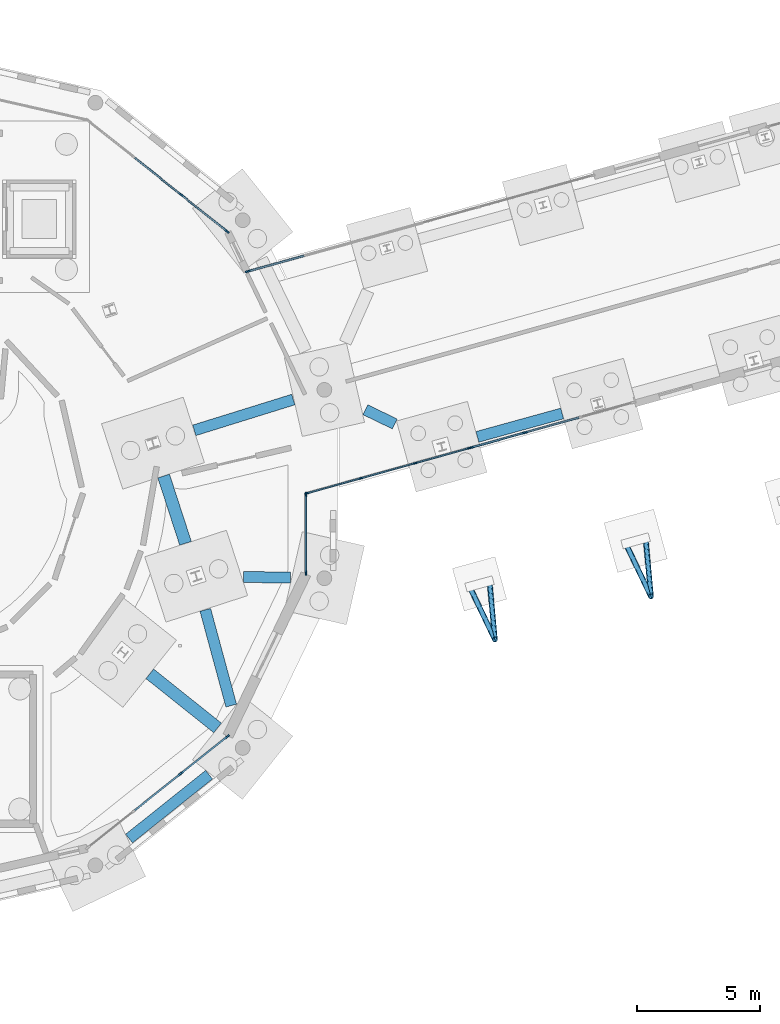
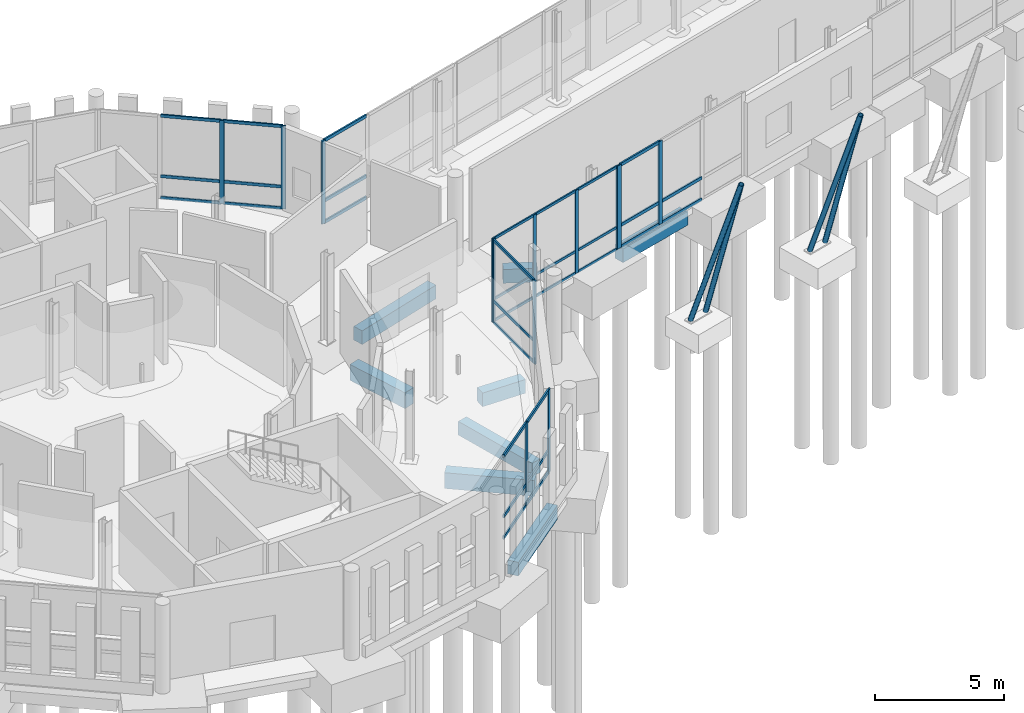
# One storey, part 30 of 113: 49 members, 8 beams, 6 elements without a shape of their own.
"""IFC4 building model written with IfcOpenShell, lengths in metres."""

import ifcopenshell
import ifcopenshell.guid

model = None  # the IFC model being written
_history = None  # IfcOwnerHistory: only IFC2X3 demands one
_inside = {}  # id of a spatial element -> (the spatial element, [elements in it])
_under = {}  # id of a project, library or spatial element -> (it, [spatial elements below it])
_declared = {}  # id of a project -> (the project, [libraries it declares])
_typed = {}  # id of a type object -> (the type object, [elements of that type])
_made_of = {}  # id of a material, layer set ... -> (it, [elements and type objects made of it])


def new_model(schema):
    """Start an empty IFC model of exactly this schema.

    Asked for "IFC4X3", IfcOpenShell would pick the latest addendum, in which some entities
    have other attributes; the version numbers below select the first issue.
    IFC2X3 requires an IfcOwnerHistory on every rooted entity: one is made here for all.
    """
    global model, _history
    if schema == "IFC4X3":
        model = ifcopenshell.file(schema_version=(4, 3, 0, 0))
    else:
        model = ifcopenshell.file(schema=schema)
    _inside.clear()
    _under.clear()
    _declared.clear()
    _typed.clear()
    _made_of.clear()
    _history = None
    if model.schema == "IFC2X3":
        org = make("IfcOrganization", Name="unknown")
        user = make(
            "IfcPersonAndOrganization",
            ThePerson=make("IfcPerson", FamilyName="unknown"),
            TheOrganization=org,
        )
        app = make(
            "IfcApplication",
            ApplicationDeveloper=org,
            Version="unknown",
            ApplicationFullName="unknown",
            ApplicationIdentifier="unknown",
        )
        _history = make(
            "IfcOwnerHistory",
            OwningUser=user,
            OwningApplication=app,
            ChangeAction="ADDED",
            CreationDate=0,
        )
    return model


def make(cls, **values):
    """One entity of the class cls with the attributes given. An attribute that is None is left unset."""
    return model.create_entity(
        cls, **{name: value for name, value in values.items() if value is not None}
    )


def rooted(cls, **values):
    """An entity with a GlobalId (a new one), such as an element, a storey or a relation."""
    return make(cls, GlobalId=ifcopenshell.guid.new(), OwnerHistory=_history, **values)


def si_unit(unit_type, name, prefix=None):
    """IfcSIUnit, for example si_unit("LENGTHUNIT", "METRE", prefix="MILLI")."""
    return make("IfcSIUnit", UnitType=unit_type, Prefix=prefix, Name=name)


def assignment(units):
    """IfcUnitAssignment: the units of a project."""
    return None if units is None else make("IfcUnitAssignment", Units=units)


def point(xyz):
    """IfcCartesianPoint."""
    return None if xyz is None else make("IfcCartesianPoint", Coordinates=xyz)


def direction(xyz):
    """IfcDirection."""
    return None if xyz is None else make("IfcDirection", DirectionRatios=xyz)


def frame(location, z_axis=None, x_axis=None):
    """IfcAxis2Placement3D, a coordinate frame: its origin and axes. An axis left out is left unset."""
    return make(
        "IfcAxis2Placement3D",
        Location=point(location),
        Axis=direction(z_axis),
        RefDirection=direction(x_axis),
    )


def frame_2d(location, x_axis=None):
    """IfcAxis2Placement2D, a coordinate frame in the plane: its origin and x axis."""
    return make(
        "IfcAxis2Placement2D", Location=point(location), RefDirection=direction(x_axis)
    )


def origin():
    """The frame at (0, 0, 0) with its axes left unset."""
    return frame((0.0, 0.0, 0.0))


def origin_2d():
    """The frame at (0, 0) in the plane with its x axis left unset."""
    return frame_2d((0.0, 0.0))


def place(relative_to, where):
    """IfcLocalPlacement: puts the frame where relative to a parent placement (None: the world)."""
    return make(
        "IfcLocalPlacement", PlacementRelTo=relative_to, RelativePlacement=where
    )


def context(
    kind, dimensions, precision=None, world=None, true_north=None, identifier=None
):
    """IfcGeometricRepresentationContext, for example the 3D "Model" context."""
    return make(
        "IfcGeometricRepresentationContext",
        ContextIdentifier=identifier,
        ContextType=kind,
        CoordinateSpaceDimension=dimensions,
        Precision=precision,
        WorldCoordinateSystem=world,
        TrueNorth=true_north,
    )


def subcontext(parent, identifier, kind, view, scale=None):
    """IfcGeometricRepresentationSubContext, for example "Body" below "Model"."""
    return make(
        "IfcGeometricRepresentationSubContext",
        ContextIdentifier=identifier,
        ContextType=kind,
        ParentContext=parent,
        TargetScale=scale,
        TargetView=view,
    )


def project(units=None, contexts=None):
    """IfcProject with its units and contexts."""
    return rooted(
        "IfcProject",
        Name="project",
        RepresentationContexts=contexts,
        UnitsInContext=assignment(units),
    )


def spatial(cls, under=None, at=None, **own):
    """A site, building, storey or space (cls), placed at a placement, below another one or the project."""
    s = rooted(cls, ObjectPlacement=at, **own)
    if under is not None:
        _under.setdefault(under.id(), (under, []))[1].append(s)
    return s


def profile(cls, at=None, kind="AREA", **sizes):
    """A parametric profile (cls). Its sizes go by their IFC names, for example OverallWidth=200.0."""
    return make(cls, ProfileType=kind, Position=at, **sizes)


def rectangle(**sizes):
    """IfcRectangleProfileDef."""
    return profile("IfcRectangleProfileDef", **sizes)


def hollow_circle(**sizes):
    """IfcCircleHollowProfileDef."""
    return profile("IfcCircleHollowProfileDef", **sizes)


def extrude(swept, where, along, depth):
    """IfcExtrudedAreaSolid: the profile swept, set in the frame where, extruded along a direction by depth."""
    return make(
        "IfcExtrudedAreaSolid",
        SweptArea=swept,
        Position=where,
        ExtrudedDirection=direction(along),
        Depth=depth,
    )


def shape(context_of_items, identifier, shape_type, items):
    """IfcShapeRepresentation: the items that make up one representation, for example the "Body"."""
    return make(
        "IfcShapeRepresentation",
        ContextOfItems=context_of_items,
        RepresentationIdentifier=identifier,
        RepresentationType=shape_type,
        Items=items,
    )


def material(Name=None, Category=None):
    """IfcMaterial."""
    return make("IfcMaterial", Name=Name, Category=Category)


def material_profile(
    of_material, cross_section, Name=None, Category=None, Priority=None
):
    """IfcMaterialProfile: a cross section and its material."""
    return make(
        "IfcMaterialProfile",
        Name=Name,
        Material=of_material,
        Profile=cross_section,
        Priority=Priority,
        Category=Category,
    )


def profile_set(profiles, Name=None, composite=None):
    """IfcMaterialProfileSet."""
    return make(
        "IfcMaterialProfileSet",
        Name=Name,
        MaterialProfiles=profiles,
        CompositeProfile=composite,
    )


def made_of(thing, what):
    """Note that an element or type object is made of a material, layer set ...; save() writes the relation."""
    if what is not None:
        _made_of.setdefault(what.id(), (what, []))[1].append(thing)
    return thing


def type_object(cls, material=None, **own):
    """A type object (cls), such as IfcWallType, which elements share."""
    return made_of(rooted(cls, **own), material)


def element(
    cls,
    number,
    at=None,
    inside=None,
    cuts=None,
    type_object=None,
    material=None,
    context=None,
    identifier="Body",
    shape_type=None,
    held_by="IfcProductDefinitionShape",
    body=None,
    shapes=None,
    **own,
):
    """One element of the class cls, such as IfcWall. Its Tag is "e" and its number.

    at: its placement. inside: the storey or other place that contains it. cuts: it is an
    opening in that element (IfcRelVoidsElement). A single representation is given by context,
    identifier, shape_type and body (its items); several are given by shapes. held_by: the class
    of the entity that holds the representations. save() writes the other relations.
    """
    e = rooted(cls, Tag="e%d" % number, ObjectPlacement=at, **own)
    if body is not None:
        shapes = [shape(context, identifier, shape_type, body)]
    if shapes is not None:
        e.Representation = make(held_by, Representations=shapes)
    if inside is not None:
        _inside.setdefault(inside.id(), (inside, []))[1].append(e)
    if cuts is not None:
        rooted(
            "IfcRelVoidsElement", RelatingBuildingElement=cuts, RelatedOpeningElement=e
        )
    if type_object is not None:
        _typed.setdefault(type_object.id(), (type_object, []))[1].append(e)
    return made_of(e, material)


def aggregate(whole, parts):
    """IfcRelAggregates: a whole, such as a stair, and the parts it consists of."""
    return rooted("IfcRelAggregates", RelatingObject=whole, RelatedObjects=parts)


def save(model, path):
    """Write the relations noted so far, then the file.

    IfcRelAggregates (storeys below a building ...), IfcRelContainedInSpatialStructure (elements
    in a storey), IfcRelDefinesByType, IfcRelAssociatesMaterial and IfcRelDeclares: one each for
    every whole, place, type object, material and project.
    """
    for whole, parts in _under.values():
        aggregate(whole, parts)
    for where, things in _inside.values():
        rooted(
            "IfcRelContainedInSpatialStructure",
            RelatedElements=things,
            RelatingStructure=where,
        )
    for kind, things in _typed.values():
        rooted("IfcRelDefinesByType", RelatedObjects=things, RelatingType=kind)
    for what, things in _made_of.values():
        rooted("IfcRelAssociatesMaterial", RelatedObjects=things, RelatingMaterial=what)
    for by, libraries in _declared.values():
        rooted("IfcRelDeclares", RelatingContext=by, RelatedDefinitions=libraries)
    model.write(path)


model = new_model("IFC4")

# Units and contexts
model_context = context("Model", 3, precision=1e-05, world=origin(), true_north=direction((0.0, 1.0)))
body_context = subcontext(model_context, "Body", "Model", "MODEL_VIEW")
ifc_project = project(units=[si_unit("LENGTHUNIT", "METRE"), si_unit("AREAUNIT", "SQUARE_METRE"), si_unit("VOLUMEUNIT", "CUBIC_METRE"), si_unit("PLANEANGLEUNIT", "RADIAN"), si_unit("MASSUNIT", "GRAM", prefix="KILO")], contexts=[model_context])

# Site, building, storey
site_placement = place(None, origin())
site = spatial("IfcSite", under=ifc_project, at=site_placement, CompositionType="ELEMENT")
building_placement = place(site_placement, origin())
building = spatial("IfcBuilding", under=site, at=building_placement, Name="Wrenclough Park School", CompositionType="ELEMENT")
storey_placement = place(building_placement, origin())
storey = spatial("IfcBuildingStorey", under=building, at=storey_placement, Name="L00", CompositionType="ELEMENT", Elevation=0.0)

# Curtain wall, members
ifc_material_1 = material(Name="Thermally broken aluminium and low-e glass curtain wall", Category="aluminium")
curtain_wall_type_1 = type_object("IfcCurtainWallType", Name="ENV-CW-11", PredefinedType="USERDEFINED", material=ifc_material_1)
curtain_wall_1_placement = place(storey_placement, origin())
curtain_wall_1 = element("IfcCurtainWall", 1, at=curtain_wall_1_placement, inside=storey, type_object=curtain_wall_type_1, Name="L00 recessed curtain wall assembly 042", ObjectType="CURTAIN WALL", PredefinedType="USERDEFINED")
ifc_material_2 = material(Name="Thermally broken anodised aluminium", Category="aluminium")
ifc_material_profile_1 = material_profile(ifc_material_2, rectangle(XDim=0.06005859375, YDim=0.159912109375, at=origin_2d()), Name="AL MULLION 60x160")
ifc_profile_set_1 = profile_set([ifc_material_profile_1], Name="Thermally broken anodised aluminium")
member_type_1 = type_object("IfcMemberType", Name="ENV-CWM-1", PredefinedType="MULLION", material=ifc_profile_set_1)
member_1_placement = place(storey_placement, frame((59.2265625, 24.966064453125, 0.0), z_axis=(0.0, 0.0, 1.0), x_axis=(0.268072536011, -0.963398731282, 0.0)))
member_1 = element("IfcMember", 2, at=member_1_placement, type_object=member_type_1, Name="CW-11 mullion 1", PredefinedType="MULLION", context=body_context, shape_type="SweptSolid", body=[
    extrude(rectangle(XDim=0.06005859375, YDim=0.159912109375, at=origin_2d()), origin(), (0.0, 0.0, 1.0), 3.93994140625),
])
member_2_placement = place(storey_placement, frame((57.026123046875, 24.35400390625, 0.0), z_axis=(0.0, 0.0, 1.0), x_axis=(0.268072536011, -0.963398731282, 0.0)))
member_2 = element("IfcMember", 3, at=member_2_placement, type_object=member_type_1, Name="CW-11 mullion 2", PredefinedType="MULLION", context=body_context, shape_type="SweptSolid", body=[
    extrude(rectangle(XDim=0.06005859375, YDim=0.159912109375, at=origin_2d()), origin(), (0.0, 0.0, 1.0), 3.93994140625),
])
member_3_placement = place(storey_placement, frame((54.796875, 23.733642578125, 0.0), z_axis=(0.0, 0.0, 1.0), x_axis=(0.268072536011, -0.963398731282, 0.0)))
member_3 = element("IfcMember", 4, at=member_3_placement, type_object=member_type_1, Name="CW-11 mullion 3", PredefinedType="MULLION", context=body_context, shape_type="SweptSolid", body=[
    extrude(rectangle(XDim=0.06005859375, YDim=0.159912109375, at=origin_2d()), origin(), (0.0, 0.0, 1.0), 3.93994140625),
])
member_4_placement = place(storey_placement, frame((52.5966796875, 23.121337890625, 0.0), z_axis=(0.0, 0.0, 1.0), x_axis=(0.268072536011, -0.963398731282, 0.0)))
member_4 = element("IfcMember", 5, at=member_4_placement, type_object=member_type_1, Name="CW-11 mullion 4", PredefinedType="MULLION", context=body_context, shape_type="SweptSolid", body=[
    extrude(rectangle(XDim=0.06005859375, YDim=0.159912109375, at=origin_2d()), origin(), (0.0, 0.0, 1.0), 3.93994140625),
])

curtain_wall_type_2 = type_object("IfcCurtainWallType", Name="ENV-CW-12", PredefinedType="USERDEFINED", material=ifc_material_1)
curtain_wall_2_placement = place(storey_placement, origin())
curtain_wall_2 = element("IfcCurtainWall", 6, at=curtain_wall_2_placement, inside=storey, type_object=curtain_wall_type_2, Name="L00 recessed curtain wall assembly 043", ObjectType="CURTAIN WALL", PredefinedType="USERDEFINED")
ifc_material_profile_2 = material_profile(ifc_material_2, rectangle(XDim=0.06494140625, YDim=0.179931640625, at=origin_2d()), Name="AL MULLION 65x180")
ifc_profile_set_2 = profile_set([ifc_material_profile_2], Name="Thermally broken anodised aluminium")
member_type_2 = type_object("IfcMemberType", Name="ENV-CWM-2", PredefinedType="MULLION", material=ifc_profile_set_2)
member_5_placement = place(storey_placement, frame((52.563720703125, 23.07568359375, 0.0), z_axis=(0.0, 0.0, 1.0), x_axis=(1.0, 0.0, 0.0)))
member_5 = element("IfcMember", 7, at=member_5_placement, type_object=member_type_2, Name="CW-12 mullion 1", PredefinedType="MULLION", context=body_context, shape_type="SweptSolid", body=[
    extrude(rectangle(XDim=0.06494140625, YDim=0.179931640625, at=origin_2d()), origin(), (0.0, 0.0, 1.0), 3.93994140625),
])
member_6_placement = place(storey_placement, frame((52.563720703125, 19.8701171875, 0.0), z_axis=(0.0, 0.0, 1.0), x_axis=(1.0, 0.0, 0.0)))
member_6 = element("IfcMember", 8, at=member_6_placement, type_object=member_type_2, Name="CW-12 mullion 2", PredefinedType="MULLION", context=body_context, shape_type="SweptSolid", body=[
    extrude(rectangle(XDim=0.06494140625, YDim=0.179931640625, at=origin_2d()), origin(), (0.0, 0.0, 1.0), 3.93994140625),
])

curtain_wall_type_3 = type_object("IfcCurtainWallType", Name="ENV-CW-15", PredefinedType="USERDEFINED", material=ifc_material_1)
curtain_wall_3_placement = place(storey_placement, origin())
curtain_wall_3 = element("IfcCurtainWall", 9, at=curtain_wall_3_placement, inside=storey, type_object=curtain_wall_type_3, Name="L00 recessed curtain wall assembly 046", ObjectType="CURTAIN WALL", PredefinedType="USERDEFINED")
member_7_placement = place(storey_placement, frame((47.47021484375, 35.298095703125, 0.0), z_axis=(0.0, 0.0, 1.0), x_axis=(0.623498909972, 0.781824218903, 0.0)))
member_7 = element("IfcMember", 10, at=member_7_placement, type_object=member_type_2, Name="CW-15 mullion 3", PredefinedType="MULLION", context=body_context, shape_type="SweptSolid", body=[
    extrude(rectangle(XDim=0.06494140625, YDim=0.179931640625, at=origin_2d()), origin(), (0.0, 0.0, 1.0), 3.93994140625),
])
member_8_placement = place(storey_placement, frame((49.353515625, 33.7958984375, 0.0), z_axis=(0.0, 0.0, 1.0), x_axis=(0.623498909972, 0.781824218903, 0.0)))
member_8 = element("IfcMember", 11, at=member_8_placement, type_object=member_type_2, Name="CW-15 mullion 4", PredefinedType="MULLION", context=body_context, shape_type="SweptSolid", body=[
    extrude(rectangle(XDim=0.06494140625, YDim=0.179931640625, at=origin_2d()), origin(), (0.0, 0.0, 1.0), 3.93994140625),
])

curtain_wall_type_4 = type_object("IfcCurtainWallType", Name="ENV-CW-10", PredefinedType="USERDEFINED", material=ifc_material_1)
curtain_wall_4_placement = place(storey_placement, origin())
curtain_wall_4 = element("IfcCurtainWall", 12, at=curtain_wall_4_placement, inside=storey, type_object=curtain_wall_type_4, Name="L00 recessed curtain wall assembly 041", ObjectType="CURTAIN WALL", PredefinedType="USERDEFINED")
ifc_material_profile_3 = material_profile(ifc_material_2, rectangle(XDim=0.070068359375, YDim=0.199951171875, at=origin_2d()), Name="AL MULLION 70x200")
ifc_profile_set_3 = profile_set([ifc_material_profile_3], Name="Thermally broken anodised aluminium")
member_type_3 = type_object("IfcMemberType", Name="ENV-CWM-3", PredefinedType="MULLION", material=ifc_profile_set_3)
member_9_placement = place(storey_placement, frame((61.492431640625, 25.5966796875, 0.0), z_axis=(0.0, 0.0, 1.0), x_axis=(0.268068815671, -0.963399766486, 0.0)))
member_9 = element("IfcMember", 13, at=member_9_placement, type_object=member_type_3, Name="CW-10 mullion 3", PredefinedType="MULLION", context=body_context, shape_type="SweptSolid", body=[
    extrude(rectangle(XDim=0.070068359375, YDim=0.199951171875, at=origin_2d()), origin(), (0.0, 0.0, 1.0), 3.93994140625),
])
member_10_placement = place(storey_placement, frame((59.296875, 24.98583984375, 0.0), z_axis=(0.0, 0.0, 1.0), x_axis=(0.268068815671, -0.963399766486, 0.0)))
member_10 = element("IfcMember", 14, at=member_10_placement, type_object=member_type_3, Name="CW-10 mullion 4", PredefinedType="MULLION", context=body_context, shape_type="SweptSolid", body=[
    extrude(rectangle(XDim=0.070068359375, YDim=0.199951171875, at=origin_2d()), origin(), (0.0, 0.0, 1.0), 3.93994140625),
])

curtain_wall_type_5 = type_object("IfcCurtainWallType", Name="ENV-CW-13", PredefinedType="USERDEFINED", material=ifc_material_1)
curtain_wall_5_placement = place(storey_placement, origin())
curtain_wall_5 = element("IfcCurtainWall", 15, at=curtain_wall_5_placement, inside=storey, type_object=curtain_wall_type_5, Name="L00 recessed curtain wall assembly 044", ObjectType="CURTAIN WALL", PredefinedType="USERDEFINED")
member_11_placement = place(storey_placement, frame((49.3515625, 13.202392578125, 0.0), z_axis=(0.0, 0.0, 1.0), x_axis=(0.623483909926, -0.781836181091, 0.0)))
member_11 = element("IfcMember", 16, at=member_11_placement, type_object=member_type_3, Name="CW-13 mullion 1", PredefinedType="MULLION", context=body_context, shape_type="SweptSolid", body=[
    extrude(rectangle(XDim=0.070068359375, YDim=0.199951171875, at=origin_2d()), origin(), (0.0, 0.0, 1.0), 3.93994140625),
])
member_12_placement = place(storey_placement, frame((47.469970703125, 11.701904296875, 0.0), z_axis=(0.0, 0.0, 1.0), x_axis=(0.623483909926, -0.781836181091, 0.0)))
member_12 = element("IfcMember", 17, at=member_12_placement, type_object=member_type_3, Name="CW-13 mullion 2", PredefinedType="MULLION", context=body_context, shape_type="SweptSolid", body=[
    extrude(rectangle(XDim=0.070068359375, YDim=0.199951171875, at=origin_2d()), origin(), (0.0, 0.0, 1.0), 3.93994140625),
])

# Curtain wall, member
curtain_wall_type_6 = type_object("IfcCurtainWallType", Name="ENV-CW-16", PredefinedType="USERDEFINED", material=ifc_material_1)
curtain_wall_6_placement = place(storey_placement, origin())
curtain_wall_6 = element("IfcCurtainWall", 18, at=curtain_wall_6_placement, inside=storey, type_object=curtain_wall_type_6, Name="L00 recessed curtain wall assembly 047", ObjectType="CURTAIN WALL", PredefinedType="USERDEFINED")
member_13_placement = place(storey_placement, frame((50.197265625, 32.169189453125, 0.0), z_axis=(0.0, 0.0, 1.0), x_axis=(-0.268072383958, 0.963398773592, 0.0)))
member_13 = element("IfcMember", 19, at=member_13_placement, type_object=member_type_3, Name="CW-16 mullion 1", PredefinedType="MULLION", context=body_context, shape_type="SweptSolid", body=[
    extrude(rectangle(XDim=0.070068359375, YDim=0.199951171875, at=origin_2d()), origin(), (0.0, 0.0, 1.0), 3.93994140625),
])

# Member
ifc_material_profile_4 = material_profile(ifc_material_2, rectangle(XDim=0.06005859375, YDim=0.1201171875, at=origin_2d()), Name="AL TRANSOM 60x120")
ifc_profile_set_4 = profile_set([ifc_material_profile_4], Name="Thermally broken anodised aluminium")
member_type_4 = type_object("IfcMemberType", Name="ENV-CWT-1", PredefinedType="USERDEFINED", material=ifc_profile_set_4)
member_14_placement = place(storey_placement, frame((59.197509765625, 24.9580078125, 0.030029296875), z_axis=(-0.963418748279, -0.268000588553, 0.0), x_axis=(0.268000588553, -0.963418748279, 0.0)))
member_14 = element("IfcMember", 20, at=member_14_placement, type_object=member_type_4, Name="CW-11 transom 1.1", ObjectType="TRANSOM", PredefinedType="USERDEFINED", context=body_context, shape_type="SweptSolid", body=[
    extrude(rectangle(XDim=0.06005859375, YDim=0.1201171875, at=origin_2d()), origin(), (0.0, 0.0, 1.0), 2.2236328125),
])

member_15_placement = place(storey_placement, frame((59.197509765625, 24.9580078125, 1.050048828125), z_axis=(-0.963418748279, -0.268000588553, 0.0), x_axis=(0.268000588553, -0.963418748279, 0.0)))
member_15 = element("IfcMember", 21, at=member_15_placement, type_object=member_type_4, Name="CW-11 transom 1.2", ObjectType="TRANSOM", PredefinedType="USERDEFINED", context=body_context, shape_type="SweptSolid", body=[
    extrude(rectangle(XDim=0.06005859375, YDim=0.1201171875, at=origin_2d()), origin(), (0.0, 0.0, 1.0), 2.2236328125),
])

member_16_placement = place(storey_placement, frame((59.197509765625, 24.9580078125, 3.909912109375), z_axis=(-0.963418748279, -0.268000588553, 0.0), x_axis=(0.268000588553, -0.963418748279, 0.0)))
member_16 = element("IfcMember", 22, at=member_16_placement, type_object=member_type_4, Name="CW-11 transom 1.3", ObjectType="TRANSOM", PredefinedType="USERDEFINED", context=body_context, shape_type="SweptSolid", body=[
    extrude(rectangle(XDim=0.06005859375, YDim=0.1201171875, at=origin_2d()), origin(), (0.0, 0.0, 1.0), 2.2236328125),
])

member_17_placement = place(storey_placement, frame((56.997314453125, 24.345947265625, 0.030029296875), z_axis=(-0.963393657546, -0.268090769331, 0.0), x_axis=(0.268090769331, -0.963393657546, 0.0)))
member_17 = element("IfcMember", 23, at=member_17_placement, type_object=member_type_4, Name="CW-11 transom 2.1", ObjectType="TRANSOM", PredefinedType="USERDEFINED", context=body_context, shape_type="SweptSolid", body=[
    extrude(rectangle(XDim=0.06005859375, YDim=0.1201171875, at=origin_2d()), origin(), (0.0, 0.0, 1.0), 2.25390625),
])

member_18_placement = place(storey_placement, frame((56.997314453125, 24.345947265625, 1.050048828125), z_axis=(-0.963393657546, -0.268090769331, 0.0), x_axis=(0.268090769331, -0.963393657546, 0.0)))
member_18 = element("IfcMember", 24, at=member_18_placement, type_object=member_type_4, Name="CW-11 transom 2.2", ObjectType="TRANSOM", PredefinedType="USERDEFINED", context=body_context, shape_type="SweptSolid", body=[
    extrude(rectangle(XDim=0.06005859375, YDim=0.1201171875, at=origin_2d()), origin(), (0.0, 0.0, 1.0), 2.25390625),
])

member_19_placement = place(storey_placement, frame((56.997314453125, 24.345947265625, 3.909912109375), z_axis=(-0.963393657546, -0.268090769331, 0.0), x_axis=(0.268090769331, -0.963393657546, 0.0)))
member_19 = element("IfcMember", 25, at=member_19_placement, type_object=member_type_4, Name="CW-11 transom 2.3", ObjectType="TRANSOM", PredefinedType="USERDEFINED", context=body_context, shape_type="SweptSolid", body=[
    extrude(rectangle(XDim=0.06005859375, YDim=0.1201171875, at=origin_2d()), origin(), (0.0, 0.0, 1.0), 2.25390625),
])

member_20_placement = place(storey_placement, frame((54.76806640625, 23.7255859375, 0.030029296875), z_axis=(-0.963398286159, -0.268074135688, 0.0), x_axis=(0.268074135688, -0.963398286159, 0.0)))
member_20 = element("IfcMember", 26, at=member_20_placement, type_object=member_type_4, Name="CW-11 transom 3.1", ObjectType="TRANSOM", PredefinedType="USERDEFINED", context=body_context, shape_type="SweptSolid", body=[
    extrude(rectangle(XDim=0.06005859375, YDim=0.1201171875, at=origin_2d()), origin(), (0.0, 0.0, 1.0), 2.223876953125),
])

member_21_placement = place(storey_placement, frame((54.76806640625, 23.7255859375, 1.050048828125), z_axis=(-0.963398286159, -0.268074135688, 0.0), x_axis=(0.268074135688, -0.963398286159, 0.0)))
member_21 = element("IfcMember", 27, at=member_21_placement, type_object=member_type_4, Name="CW-11 transom 3.2", ObjectType="TRANSOM", PredefinedType="USERDEFINED", context=body_context, shape_type="SweptSolid", body=[
    extrude(rectangle(XDim=0.06005859375, YDim=0.1201171875, at=origin_2d()), origin(), (0.0, 0.0, 1.0), 2.223876953125),
])

member_22_placement = place(storey_placement, frame((54.76806640625, 23.7255859375, 3.909912109375), z_axis=(-0.963398286159, -0.268074135688, 0.0), x_axis=(0.268074135688, -0.963398286159, 0.0)))
member_22 = element("IfcMember", 28, at=member_22_placement, type_object=member_type_4, Name="CW-11 transom 3.3", ObjectType="TRANSOM", PredefinedType="USERDEFINED", context=body_context, shape_type="SweptSolid", body=[
    extrude(rectangle(XDim=0.06005859375, YDim=0.1201171875, at=origin_2d()), origin(), (0.0, 0.0, 1.0), 2.223876953125),
])

aggregate(curtain_wall_1, [member_1, member_2, member_3, member_4, member_14, member_15, member_16, member_17, member_18, member_19, member_20, member_21, member_22])

ifc_material_profile_5 = material_profile(ifc_material_2, rectangle(XDim=0.06494140625, YDim=0.139892578125, at=origin_2d()), Name="AL TRANSOM 65x140")
ifc_profile_set_5 = profile_set([ifc_material_profile_5], Name="Thermally broken anodised aluminium")
member_type_5 = type_object("IfcMemberType", Name="ENV-CWT-2", PredefinedType="USERDEFINED", material=ifc_profile_set_5)
member_23_placement = place(storey_placement, frame((52.563720703125, 23.043212890625, 0.032470703125), z_axis=(0.0, -1.0, 0.0), x_axis=(1.0, 0.0, 0.0)))
member_23 = element("IfcMember", 29, at=member_23_placement, type_object=member_type_5, Name="CW-12 transom 1.1", ObjectType="TRANSOM", PredefinedType="USERDEFINED", context=body_context, shape_type="SweptSolid", body=[
    extrude(rectangle(XDim=0.06494140625, YDim=0.139892578125, at=origin_2d()), origin(), (0.0, 0.0, 1.0), 3.140625),
])

member_24_placement = place(storey_placement, frame((52.563720703125, 23.043212890625, 1.050048828125), z_axis=(0.0, -1.0, 0.0), x_axis=(1.0, 0.0, 0.0)))
member_24 = element("IfcMember", 30, at=member_24_placement, type_object=member_type_5, Name="CW-12 transom 1.2", ObjectType="TRANSOM", PredefinedType="USERDEFINED", context=body_context, shape_type="SweptSolid", body=[
    extrude(rectangle(XDim=0.06494140625, YDim=0.139892578125, at=origin_2d()), origin(), (0.0, 0.0, 1.0), 3.140625),
])

member_25_placement = place(storey_placement, frame((52.563720703125, 23.043212890625, 3.907470703125), z_axis=(0.0, -1.0, 0.0), x_axis=(1.0, 0.0, 0.0)))
member_25 = element("IfcMember", 31, at=member_25_placement, type_object=member_type_5, Name="CW-12 transom 1.3", ObjectType="TRANSOM", PredefinedType="USERDEFINED", context=body_context, shape_type="SweptSolid", body=[
    extrude(rectangle(XDim=0.06494140625, YDim=0.139892578125, at=origin_2d()), origin(), (0.0, 0.0, 1.0), 3.140625),
])

aggregate(curtain_wall_2, [member_5, member_6, member_23, member_24, member_25])

member_26_placement = place(storey_placement, frame((45.586669921875, 36.800048828125, 0.032470703125), z_axis=(0.781820088597, -0.623504089053, 0.0), x_axis=(0.623504089053, 0.781820088597, 0.0)))
member_26 = element("IfcMember", 32, at=member_26_placement, type_object=member_type_5, Name="CW-15 transom 2.1", ObjectType="TRANSOM", PredefinedType="USERDEFINED", context=body_context, shape_type="SweptSolid", body=[
    extrude(rectangle(XDim=0.06494140625, YDim=0.139892578125, at=origin_2d()), origin(), (0.0, 0.0, 1.0), 2.37646484375),
])

member_27_placement = place(storey_placement, frame((45.586669921875, 36.800048828125, 1.050048828125), z_axis=(0.781820088597, -0.623504089053, 0.0), x_axis=(0.623504089053, 0.781820088597, 0.0)))
member_27 = element("IfcMember", 33, at=member_27_placement, type_object=member_type_5, Name="CW-15 transom 2.2", ObjectType="TRANSOM", PredefinedType="USERDEFINED", context=body_context, shape_type="SweptSolid", body=[
    extrude(rectangle(XDim=0.06494140625, YDim=0.139892578125, at=origin_2d()), origin(), (0.0, 0.0, 1.0), 2.37646484375),
])

member_28_placement = place(storey_placement, frame((45.586669921875, 36.800048828125, 3.907470703125), z_axis=(0.781820088597, -0.623504089053, 0.0), x_axis=(0.623504089053, 0.781820088597, 0.0)))
member_28 = element("IfcMember", 34, at=member_28_placement, type_object=member_type_5, Name="CW-15 transom 2.3", ObjectType="TRANSOM", PredefinedType="USERDEFINED", context=body_context, shape_type="SweptSolid", body=[
    extrude(rectangle(XDim=0.06494140625, YDim=0.139892578125, at=origin_2d()), origin(), (0.0, 0.0, 1.0), 2.37646484375),
])

member_29_placement = place(storey_placement, frame((47.49560546875, 35.27783203125, 0.032470703125), z_axis=(0.781772343982, -0.623563951961, 0.0), x_axis=(0.623563951961, 0.781772343982, 0.0)))
member_29 = element("IfcMember", 35, at=member_29_placement, type_object=member_type_5, Name="CW-15 transom 3.1", ObjectType="TRANSOM", PredefinedType="USERDEFINED", context=body_context, shape_type="SweptSolid", body=[
    extrude(rectangle(XDim=0.06494140625, YDim=0.139892578125, at=origin_2d()), origin(), (0.0, 0.0, 1.0), 2.343994140625),
])

member_30_placement = place(storey_placement, frame((47.49560546875, 35.27783203125, 1.050048828125), z_axis=(0.781772343982, -0.623563951961, 0.0), x_axis=(0.623563951961, 0.781772343982, 0.0)))
member_30 = element("IfcMember", 36, at=member_30_placement, type_object=member_type_5, Name="CW-15 transom 3.2", ObjectType="TRANSOM", PredefinedType="USERDEFINED", context=body_context, shape_type="SweptSolid", body=[
    extrude(rectangle(XDim=0.06494140625, YDim=0.139892578125, at=origin_2d()), origin(), (0.0, 0.0, 1.0), 2.343994140625),
])

member_31_placement = place(storey_placement, frame((47.49560546875, 35.27783203125, 3.907470703125), z_axis=(0.781772343982, -0.623563951961, 0.0), x_axis=(0.623563951961, 0.781772343982, 0.0)))
member_31 = element("IfcMember", 37, at=member_31_placement, type_object=member_type_5, Name="CW-15 transom 3.3", ObjectType="TRANSOM", PredefinedType="USERDEFINED", context=body_context, shape_type="SweptSolid", body=[
    extrude(rectangle(XDim=0.06494140625, YDim=0.139892578125, at=origin_2d()), origin(), (0.0, 0.0, 1.0), 2.343994140625),
])

aggregate(curtain_wall_3, [member_7, member_8, member_26, member_27, member_28, member_29, member_30, member_31])

ifc_material_profile_6 = material_profile(ifc_material_2, rectangle(XDim=0.070068359375, YDim=0.14990234375, at=origin_2d()), Name="AL TRANSOM 70x150")
ifc_profile_set_6 = profile_set([ifc_material_profile_6], Name="Thermally broken anodised aluminium")
member_type_6 = type_object("IfcMemberType", Name="ENV-CWT-3", PredefinedType="USERDEFINED", material=ifc_profile_set_6)
member_32_placement = place(storey_placement, frame((63.68798828125, 26.20751953125, 0.034912109375), z_axis=(-0.963425886953, -0.267974924852, 0.0), x_axis=(0.267974924852, -0.963425886953, 0.0)))
member_32 = element("IfcMember", 38, at=member_32_placement, type_object=member_type_6, Name="CW-10 transom 2.1", ObjectType="TRANSOM", PredefinedType="USERDEFINED", context=body_context, shape_type="SweptSolid", body=[
    extrude(rectangle(XDim=0.070068359375, YDim=0.14990234375, at=origin_2d()), origin(), (0.0, 0.0, 1.0), 2.243896484375),
])

member_33_placement = place(storey_placement, frame((63.68798828125, 26.20751953125, 1.050048828125), z_axis=(-0.963425886953, -0.267974924852, 0.0), x_axis=(0.267974924852, -0.963425886953, 0.0)))
member_33 = element("IfcMember", 39, at=member_33_placement, type_object=member_type_6, Name="CW-10 transom 2.2", ObjectType="TRANSOM", PredefinedType="USERDEFINED", context=body_context, shape_type="SweptSolid", body=[
    extrude(rectangle(XDim=0.070068359375, YDim=0.14990234375, at=origin_2d()), origin(), (0.0, 0.0, 1.0), 2.243896484375),
])

member_34_placement = place(storey_placement, frame((61.458740234375, 25.58740234375, 0.034912109375), z_axis=(-0.963386375093, -0.268116937705, 0.0), x_axis=(0.268116937705, -0.963386375093, 0.0)))
member_34 = element("IfcMember", 40, at=member_34_placement, type_object=member_type_6, Name="CW-10 transom 3.1", ObjectType="TRANSOM", PredefinedType="USERDEFINED", context=body_context, shape_type="SweptSolid", body=[
    extrude(rectangle(XDim=0.070068359375, YDim=0.14990234375, at=origin_2d()), origin(), (0.0, 0.0, 1.0), 2.208984375),
])

member_35_placement = place(storey_placement, frame((61.458740234375, 25.58740234375, 1.050048828125), z_axis=(-0.963386375093, -0.268116937705, 0.0), x_axis=(0.268116937705, -0.963386375093, 0.0)))
member_35 = element("IfcMember", 41, at=member_35_placement, type_object=member_type_6, Name="CW-10 transom 3.2", ObjectType="TRANSOM", PredefinedType="USERDEFINED", context=body_context, shape_type="SweptSolid", body=[
    extrude(rectangle(XDim=0.070068359375, YDim=0.14990234375, at=origin_2d()), origin(), (0.0, 0.0, 1.0), 2.208984375),
])

member_36_placement = place(storey_placement, frame((61.458740234375, 25.58740234375, 3.905029296875), z_axis=(-0.963386375093, -0.268116937705, 0.0), x_axis=(0.268116937705, -0.963386375093, 0.0)))
member_36 = element("IfcMember", 42, at=member_36_placement, type_object=member_type_6, Name="CW-10 transom 3.3", ObjectType="TRANSOM", PredefinedType="USERDEFINED", context=body_context, shape_type="SweptSolid", body=[
    extrude(rectangle(XDim=0.070068359375, YDim=0.14990234375, at=origin_2d()), origin(), (0.0, 0.0, 1.0), 2.208984375),
])

aggregate(curtain_wall_4, [member_9, member_10, member_32, member_33, member_34, member_35, member_36])

member_37_placement = place(storey_placement, frame((49.32421875, 13.1806640625, 0.034912109375), z_axis=(-0.781805679563, -0.623522156305, 0.0), x_axis=(0.623522156305, -0.781805679563, 0.0)))
member_37 = element("IfcMember", 43, at=member_37_placement, type_object=member_type_6, Name="CW-13 transom 1.1", ObjectType="TRANSOM", PredefinedType="USERDEFINED", context=body_context, shape_type="SweptSolid", body=[
    extrude(rectangle(XDim=0.070068359375, YDim=0.14990234375, at=origin_2d()), origin(), (0.0, 0.0, 1.0), 2.336669921875),
])

member_38_placement = place(storey_placement, frame((49.32421875, 13.1806640625, 1.050048828125), z_axis=(-0.781805679563, -0.623522156305, 0.0), x_axis=(0.623522156305, -0.781805679563, 0.0)))
member_38 = element("IfcMember", 44, at=member_38_placement, type_object=member_type_6, Name="CW-13 transom 1.2", ObjectType="TRANSOM", PredefinedType="USERDEFINED", context=body_context, shape_type="SweptSolid", body=[
    extrude(rectangle(XDim=0.070068359375, YDim=0.14990234375, at=origin_2d()), origin(), (0.0, 0.0, 1.0), 2.336669921875),
])

member_39_placement = place(storey_placement, frame((49.32421875, 13.1806640625, 3.905029296875), z_axis=(-0.781805679563, -0.623522156305, 0.0), x_axis=(0.623522156305, -0.781805679563, 0.0)))
member_39 = element("IfcMember", 45, at=member_39_placement, type_object=member_type_6, Name="CW-13 transom 1.3", ObjectType="TRANSOM", PredefinedType="USERDEFINED", context=body_context, shape_type="SweptSolid", body=[
    extrude(rectangle(XDim=0.070068359375, YDim=0.14990234375, at=origin_2d()), origin(), (0.0, 0.0, 1.0), 2.336669921875),
])

member_40_placement = place(storey_placement, frame((47.442626953125, 11.68017578125, 0.034912109375), z_axis=(-0.781821967852, -0.623501732624, 0.0), x_axis=(0.623501732624, -0.781821967852, 0.0)))
member_40 = element("IfcMember", 46, at=member_40_placement, type_object=member_type_6, Name="CW-13 transom 2.1", ObjectType="TRANSOM", PredefinedType="USERDEFINED", context=body_context, shape_type="SweptSolid", body=[
    extrude(rectangle(XDim=0.070068359375, YDim=0.14990234375, at=origin_2d()), origin(), (0.0, 0.0, 1.0), 2.37158203125),
])

member_41_placement = place(storey_placement, frame((47.442626953125, 11.68017578125, 1.050048828125), z_axis=(-0.781821967852, -0.623501732624, 0.0), x_axis=(0.623501732624, -0.781821967852, 0.0)))
member_41 = element("IfcMember", 47, at=member_41_placement, type_object=member_type_6, Name="CW-13 transom 2.2", ObjectType="TRANSOM", PredefinedType="USERDEFINED", context=body_context, shape_type="SweptSolid", body=[
    extrude(rectangle(XDim=0.070068359375, YDim=0.14990234375, at=origin_2d()), origin(), (0.0, 0.0, 1.0), 2.37158203125),
])

member_42_placement = place(storey_placement, frame((47.442626953125, 11.68017578125, 3.905029296875), z_axis=(-0.781821967852, -0.623501732624, 0.0), x_axis=(0.623501732624, -0.781821967852, 0.0)))
member_42 = element("IfcMember", 48, at=member_42_placement, type_object=member_type_6, Name="CW-13 transom 2.3", ObjectType="TRANSOM", PredefinedType="USERDEFINED", context=body_context, shape_type="SweptSolid", body=[
    extrude(rectangle(XDim=0.070068359375, YDim=0.14990234375, at=origin_2d()), origin(), (0.0, 0.0, 1.0), 2.37158203125),
])

aggregate(curtain_wall_5, [member_11, member_12, member_37, member_38, member_39, member_40, member_41, member_42])

member_43_placement = place(storey_placement, frame((50.23095703125, 32.178466796875, 0.034912109375), z_axis=(0.96338466109, 0.268123096313, 0.0), x_axis=(-0.268123096313, 0.96338466109, 0.0)))
member_43 = element("IfcMember", 49, at=member_43_placement, type_object=member_type_6, Name="CW-16 transom 1.1", ObjectType="TRANSOM", PredefinedType="USERDEFINED", context=body_context, shape_type="SweptSolid", body=[
    extrude(rectangle(XDim=0.070068359375, YDim=0.14990234375, at=origin_2d()), origin(), (0.0, 0.0, 1.0), 2.33837890625),
])

member_44_placement = place(storey_placement, frame((50.23095703125, 32.178466796875, 1.050048828125), z_axis=(0.96338466109, 0.268123096313, 0.0), x_axis=(-0.268123096313, 0.96338466109, 0.0)))
member_44 = element("IfcMember", 50, at=member_44_placement, type_object=member_type_6, Name="CW-16 transom 1.2", ObjectType="TRANSOM", PredefinedType="USERDEFINED", context=body_context, shape_type="SweptSolid", body=[
    extrude(rectangle(XDim=0.070068359375, YDim=0.14990234375, at=origin_2d()), origin(), (0.0, 0.0, 1.0), 2.33837890625),
])

member_45_placement = place(storey_placement, frame((50.23095703125, 32.178466796875, 3.905029296875), z_axis=(0.96338466109, 0.268123096313, 0.0), x_axis=(-0.268123096313, 0.96338466109, 0.0)))
member_45 = element("IfcMember", 51, at=member_45_placement, type_object=member_type_6, Name="CW-16 transom 1.3", ObjectType="TRANSOM", PredefinedType="USERDEFINED", context=body_context, shape_type="SweptSolid", body=[
    extrude(rectangle(XDim=0.070068359375, YDim=0.14990234375, at=origin_2d()), origin(), (0.0, 0.0, 1.0), 2.33837890625),
])

aggregate(curtain_wall_6, [member_13, member_43, member_44, member_45])

# Beams
ifc_material_3 = material(Name="Concrete C35/45", Category="concrete")
ifc_material_profile_7 = material_profile(ifc_material_3, rectangle(XDim=0.449951171875, YDim=0.64990234375, at=origin_2d()), Name="RC GROUND 450x650")
ifc_profile_set_7 = profile_set([ifc_material_profile_7], Name="Concrete C35/45")
beam_type_1 = type_object("IfcBeamType", Name="STR-BM-GTB1", PredefinedType="USERDEFINED", material=ifc_profile_set_7)
beam_1_placement = place(storey_placement, frame((50.025634765625, 19.71435546875, -0.625), z_axis=(0.999872008191, -0.015998976066, 0.0), x_axis=(0.015998976066, 0.999872008191, 0.0)))
element("IfcBeam", 52, at=beam_1_placement, inside=storey, type_object=beam_type_1, Name="Reinforced concrete ground tie beam 017", ObjectType="GROUND TIE BEAM", PredefinedType="USERDEFINED", context=body_context, shape_type="SweptSolid", body=[
    extrude(rectangle(XDim=0.449951171875, YDim=0.64990234375, at=origin_2d()), origin(), (0.0, 0.0, 1.0), 1.907470703125),
])
beam_2_placement = place(storey_placement, frame((48.0126953125, 25.689697265625, -0.625), z_axis=(0.954942286785, 0.296791558016, 0.0), x_axis=(-0.296791558016, 0.954942286785, 0.0)))
element("IfcBeam", 53, at=beam_2_placement, inside=storey, type_object=beam_type_1, Name="Reinforced concrete ground tie beam 019", ObjectType="GROUND TIE BEAM", PredefinedType="USERDEFINED", context=body_context, shape_type="SweptSolid", body=[
    extrude(rectangle(XDim=0.449951171875, YDim=0.64990234375, at=origin_2d()), origin(), (0.0, 0.0, 1.0), 4.227294921875),
])
beam_3_placement = place(storey_placement, frame((56.186279296875, 25.94921875, -0.625), z_axis=(-0.900038636156, 0.435810111661, 0.0), x_axis=(-0.435810111661, -0.900038636156, 0.0)))
element("IfcBeam", 54, at=beam_3_placement, inside=storey, type_object=beam_type_1, Name="Reinforced concrete ground tie beam 021", ObjectType="GROUND TIE BEAM", PredefinedType="USERDEFINED", context=body_context, shape_type="SweptSolid", body=[
    extrude(rectangle(XDim=0.449951171875, YDim=0.64990234375, at=origin_2d()), origin(), (0.0, 0.0, 1.0), 1.33154296875),
])
beam_4_placement = place(storey_placement, frame((63.00830078125, 26.37646484375, -0.625), z_axis=(-0.963987800614, -0.265946461282, 0.0), x_axis=(0.265946461282, -0.963987800614, 0.0)))
element("IfcBeam", 55, at=beam_4_placement, inside=storey, type_object=beam_type_1, Name="Reinforced concrete ground tie beam 023", ObjectType="GROUND TIE BEAM", PredefinedType="USERDEFINED", context=body_context, shape_type="SweptSolid", body=[
    extrude(rectangle(XDim=0.449951171875, YDim=0.64990234375, at=origin_2d()), origin(), (0.0, 0.0, 1.0), 3.583984375),
])
beam_5_placement = place(storey_placement, frame((45.354736328125, 9.051025390625, -0.625), z_axis=(0.781815706234, 0.623509584117, 0.0), x_axis=(-0.623509584117, 0.781815706234, 0.0)))
element("IfcBeam", 56, at=beam_5_placement, inside=storey, type_object=beam_type_1, Name="Reinforced concrete ground tie beam 061", ObjectType="GROUND TIE BEAM", PredefinedType="USERDEFINED", context=body_context, shape_type="SweptSolid", body=[
    extrude(rectangle(XDim=0.449951171875, YDim=0.64990234375, at=origin_2d()), origin(), (0.0, 0.0, 1.0), 4.171630859375),
])
beam_6_placement = place(storey_placement, frame((49.519775390625, 14.46923828125, -0.625), z_axis=(-0.261324083526, 0.965251119331, 0.0), x_axis=(-0.965251119331, -0.261324083526, 0.0)))
element("IfcBeam", 57, at=beam_6_placement, inside=storey, type_object=beam_type_1, Name="Reinforced concrete ground tie beam 063", ObjectType="GROUND TIE BEAM", PredefinedType="USERDEFINED", context=body_context, shape_type="SweptSolid", body=[
    extrude(rectangle(XDim=0.449951171875, YDim=0.64990234375, at=origin_2d()), origin(), (0.0, 0.0, 1.0), 4.04443359375),
])
ifc_material_profile_8 = material_profile(ifc_material_3, rectangle(XDim=0.5, YDim=0.75, at=origin_2d()), Name="RC GROUND 500x750")
ifc_profile_set_8 = profile_set([ifc_material_profile_8], Name="Concrete C35/45")
beam_type_2 = type_object("IfcBeamType", Name="STR-BM-GTB2", PredefinedType="USERDEFINED", material=ifc_profile_set_8)
beam_7_placement = place(storey_placement, frame((46.76513671875, 23.827392578125, -0.675048828125), z_axis=(0.309082243873, -0.951035312973, 0.0), x_axis=(0.951035312973, 0.309082243873, 0.0)))
element("IfcBeam", 58, at=beam_7_placement, inside=storey, type_object=beam_type_2, Name="Reinforced concrete ground tie beam 018", ObjectType="GROUND TIE BEAM", PredefinedType="USERDEFINED", context=body_context, shape_type="SweptSolid", body=[
    extrude(rectangle(XDim=0.5, YDim=0.75, at=origin_2d()), origin(), (0.0, 0.0, 1.0), 2.8837890625),
])
beam_8_placement = place(storey_placement, frame((48.964111328125, 13.560302734375, -0.675048828125), z_axis=(-0.781858549803, 0.623455858983, 0.0), x_axis=(-0.623455858983, -0.781858549803, 0.0)))
element("IfcBeam", 59, at=beam_8_placement, inside=storey, type_object=beam_type_2, Name="Reinforced concrete ground tie beam 062", ObjectType="GROUND TIE BEAM", PredefinedType="USERDEFINED", context=body_context, shape_type="SweptSolid", body=[
    extrude(rectangle(XDim=0.5, YDim=0.75, at=origin_2d()), origin(), (0.0, 0.0, 1.0), 3.5341796875),
])

# Members
ifc_material_4 = material(Name="Structural steel S355", Category="steel")
ifc_material_profile_9 = material_profile(ifc_material_4, hollow_circle(Radius=0.109619140625, WallThickness=0.012451171875, at=origin_2d()), Name="CHS 219.1x12.5")
ifc_profile_set_9 = profile_set([ifc_material_profile_9], Name="Structural steel S355")
member_type_7 = type_object("IfcMemberType", Name="STR-MEM-STRUT1", PredefinedType="STRUT", material=ifc_profile_set_9)
member_46_placement = place(storey_placement, frame((59.237060546875, 19.319580078125, 0.055908203125), z_axis=(0.133110471438, -0.278436677391, 0.951185901429), x_axis=(0.902203445066, 0.431310727564, 0.0)))
element("IfcMember", 60, at=member_46_placement, inside=storey, type_object=member_type_7, Name="EAVE-ENTRANCE raking steel eave V-strut 1L", PredefinedType="STRUT", context=body_context, shape_type="SweptSolid", body=[
    extrude(hollow_circle(Radius=0.109619140625, WallThickness=0.012451171875, at=origin_2d()), origin(), (0.0, 0.0, 1.0), 7.734375),
])
for number, where, z_axis, x_axis, name in (
    (61, (60.046875, 19.54296875, 0.055908203125), (0.028408591991, -0.307317835137, 0.951182790061), (0.99575457303, 0.092047978197, 0.0), "EAVE-ENTRANCE raking steel eave V-strut 1R"),
    (62, (65.599365234375, 21.074462890625, 0.055908203125), (0.133140306954, -0.278464624928, 0.951173544275), (0.902182673868, 0.431354173473, 0.0), "EAVE-ENTRANCE raking steel eave V-strut 2L"),
    (63, (66.4091796875, 21.2978515625, 0.055908203125), (0.028439855682, -0.30734614293, 0.951172709362), (0.995746061999, 0.092140002245, 0.0), "EAVE-ENTRANCE raking steel eave V-strut 2R"),
):
    element("IfcMember", number, at=place(storey_placement, frame(where, z_axis=z_axis, x_axis=x_axis)), inside=storey, type_object=member_type_7, Name=name, PredefinedType="STRUT", context=body_context, shape_type="SweptSolid", body=[
        extrude(hollow_circle(Radius=0.109619140625, WallThickness=0.012451171875, at=origin_2d()), origin(), (0.0, 0.0, 1.0), 7.734619140625),
    ])

save(model, "model.ifc")
